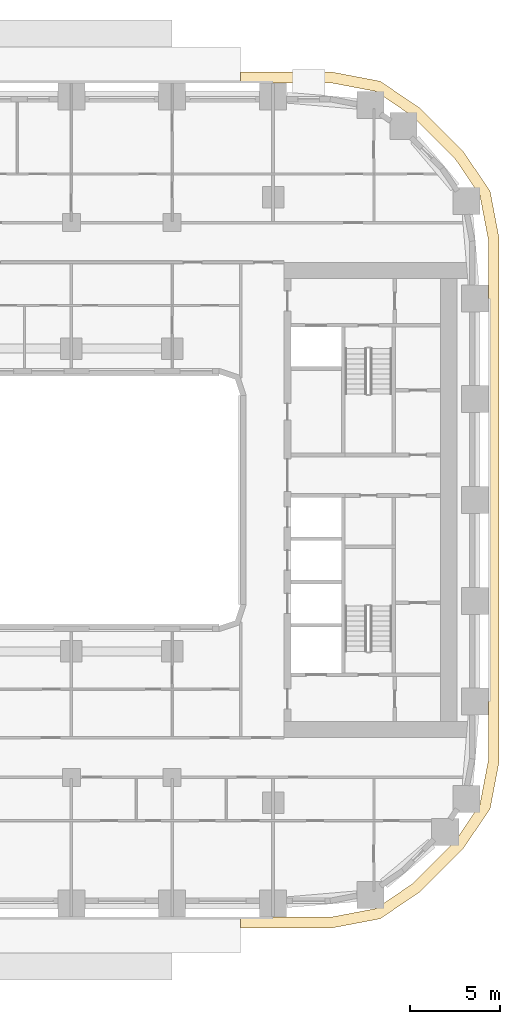
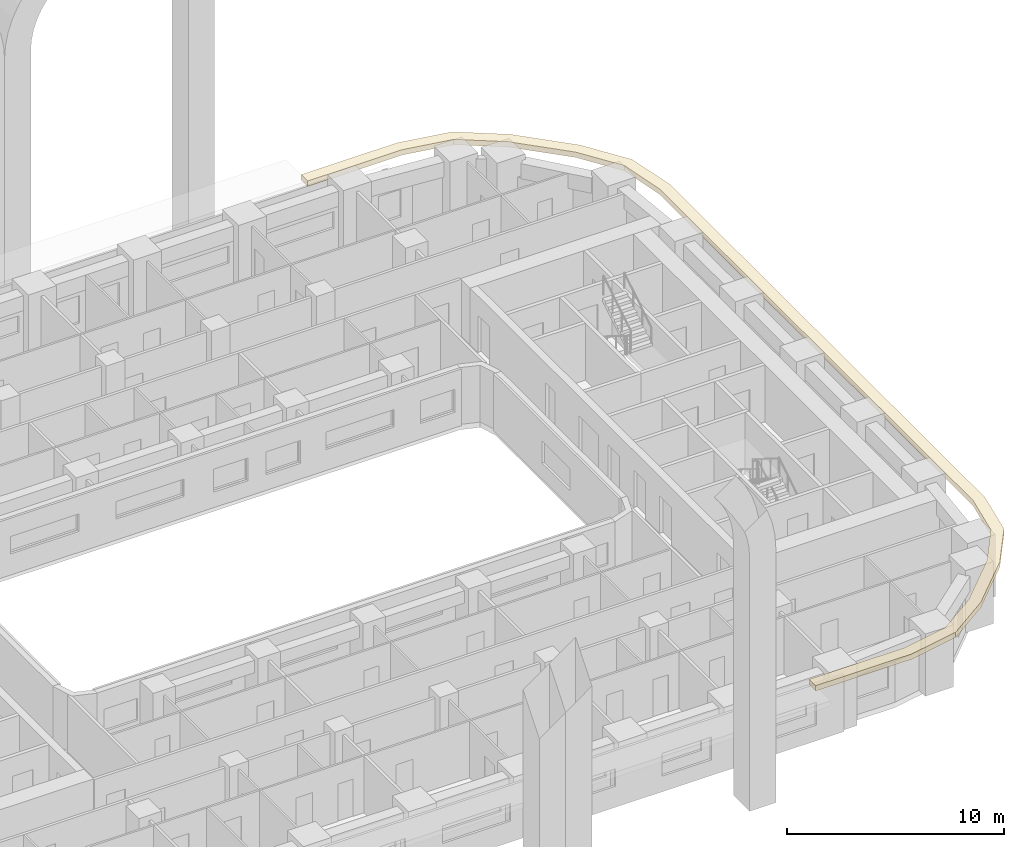
# One storey, part 17 of 21: 1 covering.
"""IFC4 building model written with IfcOpenShell, lengths in metres."""

import ifcopenshell
import ifcopenshell.guid

model = None  # the IFC model being written
_history = None  # IfcOwnerHistory: only IFC2X3 demands one
_inside = {}  # id of a spatial element -> (the spatial element, [elements in it])
_under = {}  # id of a project, library or spatial element -> (it, [spatial elements below it])
_declared = {}  # id of a project -> (the project, [libraries it declares])
_typed = {}  # id of a type object -> (the type object, [elements of that type])
_made_of = {}  # id of a material, layer set ... -> (it, [elements and type objects made of it])


def new_model(schema):
    """Start an empty IFC model of exactly this schema.

    Asked for "IFC4X3", IfcOpenShell would pick the latest addendum, in which some entities
    have other attributes; the version numbers below select the first issue.
    IFC2X3 requires an IfcOwnerHistory on every rooted entity: one is made here for all.
    """
    global model, _history
    if schema == "IFC4X3":
        model = ifcopenshell.file(schema_version=(4, 3, 0, 0))
    else:
        model = ifcopenshell.file(schema=schema)
    _inside.clear()
    _under.clear()
    _declared.clear()
    _typed.clear()
    _made_of.clear()
    _history = None
    if model.schema == "IFC2X3":
        org = make("IfcOrganization", Name="unknown")
        user = make(
            "IfcPersonAndOrganization",
            ThePerson=make("IfcPerson", FamilyName="unknown"),
            TheOrganization=org,
        )
        app = make(
            "IfcApplication",
            ApplicationDeveloper=org,
            Version="unknown",
            ApplicationFullName="unknown",
            ApplicationIdentifier="unknown",
        )
        _history = make(
            "IfcOwnerHistory",
            OwningUser=user,
            OwningApplication=app,
            ChangeAction="ADDED",
            CreationDate=0,
        )
    return model


def make(cls, **values):
    """One entity of the class cls with the attributes given. An attribute that is None is left unset."""
    return model.create_entity(
        cls, **{name: value for name, value in values.items() if value is not None}
    )


def rooted(cls, **values):
    """An entity with a GlobalId (a new one), such as an element, a storey or a relation."""
    return make(cls, GlobalId=ifcopenshell.guid.new(), OwnerHistory=_history, **values)


def si_unit(unit_type, name, prefix=None):
    """IfcSIUnit, for example si_unit("LENGTHUNIT", "METRE", prefix="MILLI")."""
    return make("IfcSIUnit", UnitType=unit_type, Prefix=prefix, Name=name)


def assignment(units):
    """IfcUnitAssignment: the units of a project."""
    return None if units is None else make("IfcUnitAssignment", Units=units)


def point(xyz):
    """IfcCartesianPoint."""
    return None if xyz is None else make("IfcCartesianPoint", Coordinates=xyz)


def direction(xyz):
    """IfcDirection."""
    return None if xyz is None else make("IfcDirection", DirectionRatios=xyz)


def frame(location, z_axis=None, x_axis=None):
    """IfcAxis2Placement3D, a coordinate frame: its origin and axes. An axis left out is left unset."""
    return make(
        "IfcAxis2Placement3D",
        Location=point(location),
        Axis=direction(z_axis),
        RefDirection=direction(x_axis),
    )


def origin():
    """The frame at (0, 0, 0) with its axes left unset."""
    return frame((0.0, 0.0, 0.0))


def place(relative_to, where):
    """IfcLocalPlacement: puts the frame where relative to a parent placement (None: the world)."""
    return make(
        "IfcLocalPlacement", PlacementRelTo=relative_to, RelativePlacement=where
    )


def context(
    kind, dimensions, precision=None, world=None, true_north=None, identifier=None
):
    """IfcGeometricRepresentationContext, for example the 3D "Model" context."""
    return make(
        "IfcGeometricRepresentationContext",
        ContextIdentifier=identifier,
        ContextType=kind,
        CoordinateSpaceDimension=dimensions,
        Precision=precision,
        WorldCoordinateSystem=world,
        TrueNorth=true_north,
    )


def subcontext(parent, identifier, kind, view, scale=None):
    """IfcGeometricRepresentationSubContext, for example "Body" below "Model"."""
    return make(
        "IfcGeometricRepresentationSubContext",
        ContextIdentifier=identifier,
        ContextType=kind,
        ParentContext=parent,
        TargetScale=scale,
        TargetView=view,
    )


def project(units=None, contexts=None):
    """IfcProject with its units and contexts."""
    return rooted(
        "IfcProject",
        Name="project",
        RepresentationContexts=contexts,
        UnitsInContext=assignment(units),
    )


def spatial(cls, under=None, at=None, **own):
    """A site, building, storey or space (cls), placed at a placement, below another one or the project."""
    s = rooted(cls, ObjectPlacement=at, **own)
    if under is not None:
        _under.setdefault(under.id(), (under, []))[1].append(s)
    return s


def polyline(points):
    """IfcPolyline through the points."""
    return make("IfcPolyline", Points=[point(p) for p in points])


def outline(outer, holes=None, kind="AREA"):
    """IfcArbitraryClosedProfileDef: a profile drawn as a closed curve; with holes, ...WithVoids."""
    if holes is None:
        return make("IfcArbitraryClosedProfileDef", ProfileType=kind, OuterCurve=outer)
    return make(
        "IfcArbitraryProfileDefWithVoids",
        ProfileType=kind,
        OuterCurve=outer,
        InnerCurves=holes,
    )


def extrude(swept, where, along, depth):
    """IfcExtrudedAreaSolid: the profile swept, set in the frame where, extruded along a direction by depth."""
    return make(
        "IfcExtrudedAreaSolid",
        SweptArea=swept,
        Position=where,
        ExtrudedDirection=direction(along),
        Depth=depth,
    )


def shape(context_of_items, identifier, shape_type, items):
    """IfcShapeRepresentation: the items that make up one representation, for example the "Body"."""
    return make(
        "IfcShapeRepresentation",
        ContextOfItems=context_of_items,
        RepresentationIdentifier=identifier,
        RepresentationType=shape_type,
        Items=items,
    )


def material(Name=None, Category=None):
    """IfcMaterial."""
    return make("IfcMaterial", Name=Name, Category=Category)


def layer(
    of_material, thickness, ventilated=None, Name=None, Category=None, Priority=None
):
    """IfcMaterialLayer: one layer of a wall or slab, of a material (None: an air gap)."""
    return make(
        "IfcMaterialLayer",
        Material=of_material,
        LayerThickness=thickness,
        IsVentilated=ventilated,
        Name=Name,
        Category=Category,
        Priority=Priority,
    )


def layer_set(layers, Name=None):
    """IfcMaterialLayerSet."""
    return make("IfcMaterialLayerSet", MaterialLayers=layers, LayerSetName=Name)


def made_of(thing, what):
    """Note that an element or type object is made of a material, layer set ...; save() writes the relation."""
    if what is not None:
        _made_of.setdefault(what.id(), (what, []))[1].append(thing)
    return thing


def type_object(cls, material=None, **own):
    """A type object (cls), such as IfcWallType, which elements share."""
    return made_of(rooted(cls, **own), material)


def element(
    cls,
    number,
    at=None,
    inside=None,
    cuts=None,
    type_object=None,
    material=None,
    context=None,
    identifier="Body",
    shape_type=None,
    held_by="IfcProductDefinitionShape",
    body=None,
    shapes=None,
    **own,
):
    """One element of the class cls, such as IfcWall. Its Tag is "e" and its number.

    at: its placement. inside: the storey or other place that contains it. cuts: it is an
    opening in that element (IfcRelVoidsElement). A single representation is given by context,
    identifier, shape_type and body (its items); several are given by shapes. held_by: the class
    of the entity that holds the representations. save() writes the other relations.
    """
    e = rooted(cls, Tag="e%d" % number, ObjectPlacement=at, **own)
    if body is not None:
        shapes = [shape(context, identifier, shape_type, body)]
    if shapes is not None:
        e.Representation = make(held_by, Representations=shapes)
    if inside is not None:
        _inside.setdefault(inside.id(), (inside, []))[1].append(e)
    if cuts is not None:
        rooted(
            "IfcRelVoidsElement", RelatingBuildingElement=cuts, RelatedOpeningElement=e
        )
    if type_object is not None:
        _typed.setdefault(type_object.id(), (type_object, []))[1].append(e)
    return made_of(e, material)


def aggregate(whole, parts):
    """IfcRelAggregates: a whole, such as a stair, and the parts it consists of."""
    return rooted("IfcRelAggregates", RelatingObject=whole, RelatedObjects=parts)


def save(model, path):
    """Write the relations noted so far, then the file.

    IfcRelAggregates (storeys below a building ...), IfcRelContainedInSpatialStructure (elements
    in a storey), IfcRelDefinesByType, IfcRelAssociatesMaterial and IfcRelDeclares: one each for
    every whole, place, type object, material and project.
    """
    for whole, parts in _under.values():
        aggregate(whole, parts)
    for where, things in _inside.values():
        rooted(
            "IfcRelContainedInSpatialStructure",
            RelatedElements=things,
            RelatingStructure=where,
        )
    for kind, things in _typed.values():
        rooted("IfcRelDefinesByType", RelatedObjects=things, RelatingType=kind)
    for what, things in _made_of.values():
        rooted("IfcRelAssociatesMaterial", RelatedObjects=things, RelatingMaterial=what)
    for by, libraries in _declared.values():
        rooted("IfcRelDeclares", RelatingContext=by, RelatedDefinitions=libraries)
    model.write(path)


model = new_model("IFC4")

# Units and contexts
model_context = context("Model", 3, precision=1e-05, world=origin(), true_north=direction((0.0, 1.0)))
body_context = subcontext(model_context, "Body", "Model", "MODEL_VIEW")
ifc_project = project(units=[si_unit("LENGTHUNIT", "METRE"), si_unit("AREAUNIT", "SQUARE_METRE"), si_unit("VOLUMEUNIT", "CUBIC_METRE"), si_unit("PLANEANGLEUNIT", "RADIAN"), si_unit("MASSUNIT", "GRAM", prefix="KILO")], contexts=[model_context])

# Site, building, storey
site_placement = place(None, origin())
site = spatial("IfcSite", under=ifc_project, at=site_placement, CompositionType="ELEMENT")
building_placement = place(site_placement, origin())
building = spatial("IfcBuilding", under=site, at=building_placement, Name="Kiln Ring Residences", CompositionType="ELEMENT")
storey_placement = place(building_placement, frame((0.0, 0.0, 51.5)))
storey = spatial("IfcBuildingStorey", under=building, at=storey_placement, Name="L12", CompositionType="ELEMENT", Elevation=51.5)

# Covering
ifc_material = material(Name="Black powder-coated steel", Category="steel")
ifc_layer = layer(ifc_material, 0.300048828125)
ifc_layer_set = layer_set([ifc_layer], Name="SUNSHADE FIN 600")
covering_type = type_object("IfcCoveringType", Name="SUNSHADE FIN 600", PredefinedType="CLADDING", material=ifc_layer_set)
covering_placement = place(storey_placement, frame((0.0, 0.0, 3.199951171875)))
element("IfcCovering", 1, at=covering_placement, inside=storey, type_object=covering_type, Name="SUNSHADE FIN L12", PredefinedType="CLADDING", context=body_context, shape_type="SweptSolid", body=[
    extrude(outline(polyline([(20.127685546875, 23.75), (15.0, 23.75), (15.0, 23.14990234375), (20.07080078125, 23.14990234375), (22.517333984375, 22.683349609375), (24.577392578125, 21.283447265625), (26.88330078125, 18.977294921875), (28.283447265625, 16.91748046875), (28.75, 14.470947265625), (28.75, -14.470947265625), (28.283447265625, -16.91748046875), (26.88330078125, -18.977294921875), (24.577392578125, -21.283447265625), (22.517333984375, -22.683349609375), (20.07080078125, -23.14990234375), (15.0, -23.14990234375), (15.0, -23.75), (20.127685546875, -23.75), (22.751953125, -23.24951171875), (24.96142578125, -21.747802734375), (27.347900390625, -19.361328125), (28.849365234375, -17.15185546875), (29.35009765625, -14.527587890625), (29.35009765625, 14.527587890625), (28.849365234375, 17.15185546875), (27.347900390625, 19.361328125), (24.96142578125, 21.747802734375), (22.751953125, 23.24951171875), (20.127685546875, 23.75)])), origin(), (0.0, 0.0, 1.0), 0.300048828125),
])

save(model, "model.ifc")
